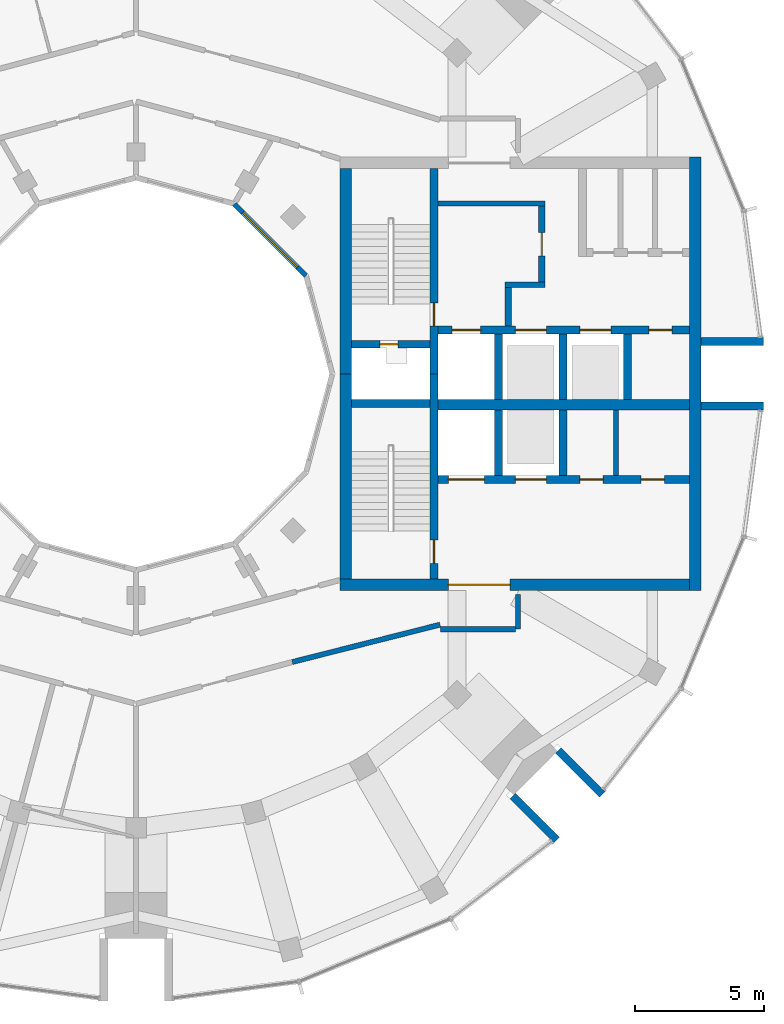
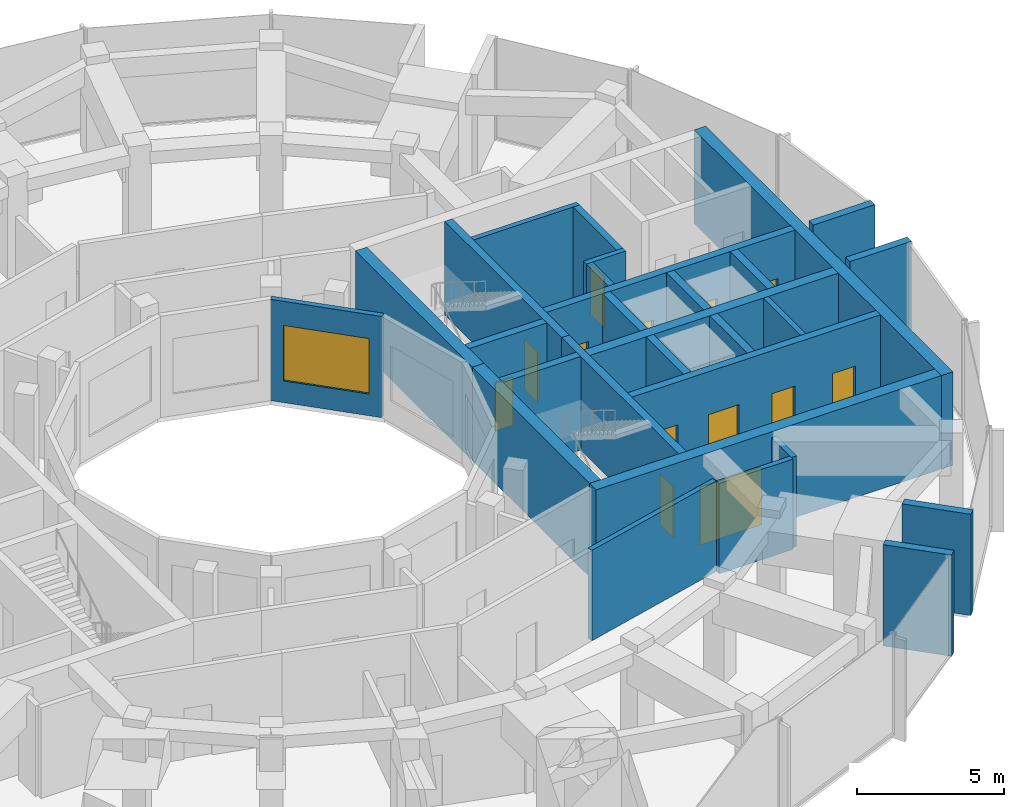
# One storey, part 10 of 14: 29 walls, 13 doors, 1 window, 14 openings.
"""IFC4 building model written with IfcOpenShell, lengths in metres."""

from ifc_helpers import new_model, si_unit, direction, frame, frame_2d, origin, place, context, subcontext, project, spatial, rectangle, extrude, material, layer, layer_set, type_object, element, fill, save


model = new_model("IFC4")

# Units and contexts
model_context = context("Model", 3, precision=1e-05, world=origin(), true_north=direction((0.0, 1.0)))
body_context = subcontext(model_context, "Body", "Model", "MODEL_VIEW")
ifc_project = project(units=[si_unit("LENGTHUNIT", "METRE"), si_unit("AREAUNIT", "SQUARE_METRE"), si_unit("VOLUMEUNIT", "CUBIC_METRE"), si_unit("PLANEANGLEUNIT", "RADIAN"), si_unit("MASSUNIT", "GRAM", prefix="KILO")], contexts=[model_context])

# Site, building, storey
site_placement = place(None, origin())
site = spatial("IfcSite", under=ifc_project, at=site_placement, CompositionType="ELEMENT")
building_placement = place(site_placement, origin())
building = spatial("IfcBuilding", under=site, at=building_placement, Name="Torre Brocal", CompositionType="ELEMENT")
storey_placement = place(building_placement, frame((0.0, 0.0, 288.300048828125)))
storey = spatial("IfcBuildingStorey", under=building, at=storey_placement, Name="L66", CompositionType="ELEMENT", Elevation=288.300048828125)

# Walls
ifc_material_1 = material(Name="Masonry block", Category="masonry")
ifc_layer_1 = layer(ifc_material_1, 0.199951171875)
ifc_layer_set_1 = layer_set([ifc_layer_1], Name="Masonry block")
wall_type_1 = type_object("IfcWallType", Name="CORE PARTITION 200", PredefinedType="PARTITIONING", material=ifc_layer_set_1)
wall_1_placement = place(storey_placement, frame((98.60009765625, 71.050048828125, 0.0), z_axis=(0.0, 0.0, 1.0), x_axis=(0.0, 1.0, 0.0)))
element("IfcWall", 1, at=wall_1_placement, inside=storey, type_object=wall_type_1, Name="Wall CP200", PredefinedType="PARTITIONING", context=body_context, shape_type="SweptSolid", body=[
    extrude(rectangle(XDim=2.550048828125, YDim=0.199951171875, at=frame_2d((1.27490234375, 0.0))), origin(), (0.0, 0.0, 1.0), 3.8798828125),
])
ifc_material_2 = material(Name="Concrete C50", Category="concrete")
ifc_layer_2 = layer(ifc_material_2, 0.199951171875)
ifc_layer_set_2 = layer_set([ifc_layer_2], Name="Concrete C50")
wall_type_2 = type_object("IfcWallType", Name="CORE WALL 200 C50", PredefinedType="SHEAR", material=ifc_layer_set_2)
wall_2_placement = place(storey_placement, frame((91.699951171875, 81.60009765625, 0.0), z_axis=(0.0, 0.0, 1.0), x_axis=(1.0, 0.0, 0.0)))
element("IfcWall", 2, at=wall_2_placement, inside=storey, type_object=wall_type_2, Name="Wall CW200-50", PredefinedType="SHEAR", context=body_context, shape_type="SweptSolid", body=[
    extrude(rectangle(XDim=4.150146484375, YDim=0.199951171875, at=frame_2d((2.0751953125, 0.0))), origin(), (0.0, 0.0, 1.0), 3.8798828125),
])
wall_3_placement = place(storey_placement, frame((94.300048828125, 78.449951171875, 0.0), z_axis=(0.0, 0.0, 1.0), x_axis=(1.0, 0.0, 0.0)))
element("IfcWall", 3, at=wall_3_placement, inside=storey, type_object=wall_type_2, Name="Wall CW200-50", PredefinedType="SHEAR", context=body_context, shape_type="SweptSolid", body=[
    extrude(rectangle(XDim=1.550048828125, YDim=0.199951171875, at=frame_2d((0.77490234375, 0.0))), origin(), (0.0, 0.0, 1.0), 3.8798828125),
])

# Wall, opening, door
ifc_material_3 = material(Name="Concrete C50", Category="concrete")
ifc_layer_3 = layer(ifc_material_3, 0.25)
ifc_layer_set_3 = layer_set([ifc_layer_3], Name="Concrete C50")
wall_type_3 = type_object("IfcWallType", Name="CORE WALL 250 C50", PredefinedType="SHEAR", material=ifc_layer_set_3)
wall_4_placement = place(storey_placement, frame((95.72509765625, 78.550048828125, 0.0), z_axis=(0.0, 0.0, 1.0), x_axis=(0.0, 1.0, 0.0)))
wall_4 = element("IfcWall", 4, at=wall_4_placement, inside=storey, type_object=wall_type_3, Name="Wall CW250-50", PredefinedType="SHEAR", context=body_context, shape_type="SweptSolid", body=[
    extrude(rectangle(XDim=2.949951171875, YDim=0.25, at=frame_2d((1.47509765625, 0.0))), origin(), (0.0, 0.0, 1.0), 3.8798828125),
])
opening_1_placement = place(wall_4_placement, frame((1.02490234375, 0.0, 0.0)))
opening_1 = element("IfcOpeningElement", 5, at=opening_1_placement, cuts=wall_4, Name="Opening E-D26", PredefinedType="OPENING", context=body_context, shape_type="SweptSolid", body=[
    extrude(rectangle(XDim=0.89990234375, YDim=2.10009765625, at=frame_2d((0.449951171875, 1.050048828125))), frame((0.0, 0.135009765625, 0.0), z_axis=(0.0, -1.0, 0.0), x_axis=(1.0, 0.0, 0.0)), (0.0, 0.0, 1.0), 0.27001953125),
])
ifc_material_4 = material(Name="Steel A653", Category="steel")
door_type_1 = type_object("IfcDoorType", Name="LOBBY DOOR FD120 900X2100", OperationType="SINGLE_SWING_RIGHT", PredefinedType="DOOR", material=ifc_material_4)
door_1_placement = place(opening_1_placement, origin())
door_1 = element("IfcDoor", 6, at=door_1_placement, inside=storey, type_object=door_type_1, Name="Door E-D26", OperationType="SINGLE_SWING_LEFT", OverallHeight=2.10009765625, OverallWidth=0.89990234375, PredefinedType="DOOR", context=body_context, shape_type="SweptSolid", body=[
    extrude(rectangle(XDim=0.89990234375, YDim=2.10009765625, at=frame_2d((0.449951171875, 1.050048828125))), frame((0.0, 0.02490234375, 0.0), z_axis=(0.0, -1.0, 0.0), x_axis=(1.0, 0.0, 0.0)), (0.0, 0.0, 1.0), 0.050048828125),
])
fill(opening_1, door_1)

# Wall
wall_5_placement = place(storey_placement, frame((94.425048828125, 76.85009765625, 0.0), z_axis=(0.0, 0.0, 1.0), x_axis=(0.0, 1.0, 0.0)))
element("IfcWall", 7, at=wall_5_placement, inside=storey, type_object=wall_type_3, Name="Wall CW250-50", PredefinedType="SHEAR", context=body_context, shape_type="SweptSolid", body=[
    extrude(rectangle(XDim=1.5, YDim=0.25, at=frame_2d((0.75, 0.0))), origin(), (0.0, 0.0, 1.0), 3.8798828125),
])

# Wall, opening, door
ifc_material_5 = material(Name="Concrete C50", Category="concrete")
ifc_layer_4 = layer(ifc_material_5, 0.300048828125)
ifc_layer_set_4 = layer_set([ifc_layer_4], Name="Concrete C50")
wall_type_4 = type_object("IfcWallType", Name="CORE WALL 300 C50", PredefinedType="SHEAR", material=ifc_layer_set_4)
wall_6_placement = place(storey_placement, frame((91.550048828125, 75.0, 0.0), z_axis=(0.0, 0.0, 1.0), x_axis=(0.0, 1.0, 0.0)))
wall_6 = element("IfcWall", 8, at=wall_6_placement, inside=storey, type_object=wall_type_4, Name="Wall CW300-50", PredefinedType="SHEAR", context=body_context, shape_type="SweptSolid", body=[
    extrude(rectangle(XDim=7.949951171875, YDim=0.300048828125, at=frame_2d((3.97509765625, 0.0))), origin(), (0.0, 0.0, 1.0), 3.8798828125),
])
opening_2_placement = place(wall_6_placement, frame((1.85009765625, 0.0, 0.0)))
opening_2 = element("IfcOpeningElement", 9, at=opening_2_placement, cuts=wall_6, Name="Opening E-D02", PredefinedType="OPENING", context=body_context, shape_type="SweptSolid", body=[
    extrude(rectangle(XDim=0.89990234375, YDim=2.10009765625, at=frame_2d((0.449951171875, 1.050048828125))), frame((0.0, 0.159912109375, 0.0), z_axis=(0.0, -1.0, 0.0), x_axis=(1.0, 0.0, 0.0)), (0.0, 0.0, 1.0), 0.320068359375),
])
ifc_material_6 = material(Name="Steel A653", Category="steel")
door_type_2 = type_object("IfcDoorType", Name="STAIR DOOR FD120 900X2100", OperationType="SINGLE_SWING_RIGHT", PredefinedType="DOOR", material=ifc_material_6)
door_2_placement = place(opening_2_placement, origin())
door_2 = element("IfcDoor", 10, at=door_2_placement, inside=storey, type_object=door_type_2, Name="Door E-D02", OperationType="SINGLE_SWING_LEFT", OverallHeight=2.10009765625, OverallWidth=0.89990234375, PredefinedType="DOOR", context=body_context, shape_type="SweptSolid", body=[
    extrude(rectangle(XDim=0.89990234375, YDim=2.10009765625, at=frame_2d((0.449951171875, 1.050048828125))), frame((0.0, 0.02490234375, 0.0), z_axis=(0.0, -1.0, 0.0), x_axis=(1.0, 0.0, 0.0)), (0.0, 0.0, 1.0), 0.050048828125),
])
fill(opening_2, door_2)

wall_7_placement = place(storey_placement, frame((91.550048828125, 67.050048828125, 0.0), z_axis=(0.0, 0.0, 1.0), x_axis=(0.0, 1.0, 0.0)))
wall_7 = element("IfcWall", 11, at=wall_7_placement, inside=storey, type_object=wall_type_4, Name="Wall CW300-50", PredefinedType="SHEAR", context=body_context, shape_type="SweptSolid", body=[
    extrude(rectangle(XDim=7.949951171875, YDim=0.300048828125, at=frame_2d((3.97509765625, 0.0))), origin(), (0.0, 0.0, 1.0), 3.8798828125),
])
opening_3_placement = place(wall_7_placement, frame((0.60009765625, 0.0, 0.0)))
opening_3 = element("IfcOpeningElement", 12, at=opening_3_placement, cuts=wall_7, Name="Opening E-D03", PredefinedType="OPENING", context=body_context, shape_type="SweptSolid", body=[
    extrude(rectangle(XDim=0.89990234375, YDim=2.10009765625, at=frame_2d((0.449951171875, 1.050048828125))), frame((0.0, 0.159912109375, 0.0), z_axis=(0.0, -1.0, 0.0), x_axis=(1.0, 0.0, 0.0)), (0.0, 0.0, 1.0), 0.320068359375),
])
door_3_placement = place(opening_3_placement, origin())
door_3 = element("IfcDoor", 13, at=door_3_placement, inside=storey, type_object=door_type_2, Name="Door E-D03", OperationType="SINGLE_SWING_LEFT", OverallHeight=2.10009765625, OverallWidth=0.89990234375, PredefinedType="DOOR", context=body_context, shape_type="SweptSolid", body=[
    extrude(rectangle(XDim=0.89990234375, YDim=2.10009765625, at=frame_2d((0.449951171875, 1.050048828125))), frame((0.0, 0.02490234375, 0.0), z_axis=(0.0, -1.0, 0.0), x_axis=(1.0, 0.0, 0.0)), (0.0, 0.0, 1.0), 0.050048828125),
])
fill(opening_3, door_3)

wall_8_placement = place(storey_placement, frame((88.35009765625, 76.14990234375, 0.0), z_axis=(0.0, 0.0, 1.0), x_axis=(1.0, 0.0, 0.0)))
wall_8 = element("IfcWall", 14, at=wall_8_placement, inside=storey, type_object=wall_type_4, Name="Wall CW300-50", PredefinedType="SHEAR", context=body_context, shape_type="SweptSolid", body=[
    extrude(rectangle(XDim=3.0498046875, YDim=0.300048828125, at=frame_2d((1.52490234375, 0.0))), origin(), (0.0, 0.0, 1.0), 3.8798828125),
])
opening_4_placement = place(wall_8_placement, frame((1.10009765625, 0.0, 0.0)))
opening_4 = element("IfcOpeningElement", 15, at=opening_4_placement, cuts=wall_8, Name="Opening E-D01", PredefinedType="OPENING", context=body_context, shape_type="SweptSolid", body=[
    extrude(rectangle(XDim=0.699951171875, YDim=2.0, at=frame_2d((0.35009765625, 1.0))), frame((0.0, 0.159912109375, 0.0), z_axis=(0.0, -1.0, 0.0), x_axis=(1.0, 0.0, 0.0)), (0.0, 0.0, 1.0), 0.320068359375),
])
ifc_material_7 = material(Name="Steel A653", Category="steel")
door_type_3 = type_object("IfcDoorType", Name="RISER DOOR FD120 700X2000", OperationType="SINGLE_SWING_LEFT", PredefinedType="DOOR", material=ifc_material_7)
door_4_placement = place(opening_4_placement, frame((0.699951171875, 0.0, 0.0), z_axis=(0.0, 0.0, 1.0), x_axis=(-1.0, 0.0, 0.0)))
door_4 = element("IfcDoor", 16, at=door_4_placement, inside=storey, type_object=door_type_3, Name="Door E-D01", OperationType="SINGLE_SWING_RIGHT", OverallHeight=2.0, OverallWidth=0.699951171875, PredefinedType="DOOR", context=body_context, shape_type="SweptSolid", body=[
    extrude(rectangle(XDim=0.699951171875, YDim=2.0, at=frame_2d((0.35009765625, 1.0))), frame((0.0, 0.02490234375, 0.0), z_axis=(0.0, -1.0, 0.0), x_axis=(1.0, 0.0, 0.0)), (0.0, 0.0, 1.0), 0.050048828125),
])
fill(opening_4, door_4)

# Wall
wall_9_placement = place(storey_placement, frame((88.35009765625, 73.85009765625, 0.0), z_axis=(0.0, 0.0, 1.0), x_axis=(1.0, 0.0, 0.0)))
element("IfcWall", 17, at=wall_9_placement, inside=storey, type_object=wall_type_4, Name="Wall CW300-50", PredefinedType="SHEAR", context=body_context, shape_type="SweptSolid", body=[
    extrude(rectangle(XDim=3.0498046875, YDim=0.300048828125, at=frame_2d((1.52490234375, 0.0))), origin(), (0.0, 0.0, 1.0), 3.8798828125),
])

# Wall, openings, doors
wall_10_placement = place(storey_placement, frame((91.699951171875, 76.699951171875, 0.0), z_axis=(0.0, 0.0, 1.0), x_axis=(1.0, 0.0, 0.0)))
wall_10 = element("IfcWall", 18, at=wall_10_placement, inside=storey, type_object=wall_type_4, Name="Wall CW300-50", PredefinedType="SHEAR", context=body_context, shape_type="SweptSolid", body=[
    extrude(rectangle(XDim=9.75, YDim=0.300048828125, at=frame_2d((4.875, 0.0))), origin(), (0.0, 0.0, 1.0), 3.8798828125),
])
opening_5_placement = place(wall_10_placement, frame((0.550048828125, 0.0, 0.0)))
opening_5 = element("IfcOpeningElement", 19, at=opening_5_placement, cuts=wall_10, Name="Opening LD", PredefinedType="OPENING", context=body_context, shape_type="SweptSolid", body=[
    extrude(rectangle(XDim=1.10009765625, YDim=2.10009765625, at=frame_2d((0.550048828125, 1.050048828125))), frame((0.0, 0.159912109375, 0.0), z_axis=(0.0, -1.0, 0.0), x_axis=(1.0, 0.0, 0.0)), (0.0, 0.0, 1.0), 0.320068359375),
])
opening_6_placement = place(wall_10_placement, frame((3.0, 0.0, 0.0)))
opening_6 = element("IfcOpeningElement", 20, at=opening_6_placement, cuts=wall_10, Name="Opening LD12", PredefinedType="OPENING", context=body_context, shape_type="SweptSolid", body=[
    extrude(rectangle(XDim=1.199951171875, YDim=2.10009765625, at=frame_2d((0.60009765625, 1.050048828125))), frame((0.0, 0.159912109375, 0.0), z_axis=(0.0, -1.0, 0.0), x_axis=(1.0, 0.0, 0.0)), (0.0, 0.0, 1.0), 0.320068359375),
])
opening_7_placement = place(wall_10_placement, frame((5.5, 0.0, 0.0)))
opening_7 = element("IfcOpeningElement", 21, at=opening_7_placement, cuts=wall_10, Name="Opening LD12", PredefinedType="OPENING", context=body_context, shape_type="SweptSolid", body=[
    extrude(rectangle(XDim=1.199951171875, YDim=2.10009765625, at=frame_2d((0.60009765625, 1.050048828125))), frame((0.0, 0.159912109375, 0.0), z_axis=(0.0, -1.0, 0.0), x_axis=(1.0, 0.0, 0.0)), (0.0, 0.0, 1.0), 0.320068359375),
])
opening_8_placement = place(wall_10_placement, frame((8.175048828125, 0.0, 0.0)))
opening_8 = element("IfcOpeningElement", 22, at=opening_8_placement, cuts=wall_10, Name="Opening E-D04", PredefinedType="OPENING", context=body_context, shape_type="SweptSolid", body=[
    extrude(rectangle(XDim=0.89990234375, YDim=2.10009765625, at=frame_2d((0.449951171875, 1.050048828125))), frame((0.0, 0.159912109375, 0.0), z_axis=(0.0, -1.0, 0.0), x_axis=(1.0, 0.0, 0.0)), (0.0, 0.0, 1.0), 0.320068359375),
])
ifc_material_8 = material(Name="Stainless steel AISI 316", Category="steel")
door_type_4 = type_object("IfcDoorType", Name="LIFT LANDING DOOR 1100X2100", OperationType="DOUBLE_DOOR_SLIDING", PredefinedType="DOOR", material=ifc_material_8)
door_5_placement = place(opening_5_placement, origin())
door_5 = element("IfcDoor", 23, at=door_5_placement, inside=storey, type_object=door_type_4, Name="Door LD", OperationType="DOUBLE_DOOR_SLIDING", OverallHeight=2.10009765625, OverallWidth=1.10009765625, PredefinedType="DOOR", context=body_context, shape_type="SweptSolid", body=[
    extrude(rectangle(XDim=1.10009765625, YDim=2.10009765625, at=frame_2d((0.550048828125, 1.050048828125))), frame((0.0, 0.02490234375, 0.0), z_axis=(0.0, -1.0, 0.0), x_axis=(1.0, 0.0, 0.0)), (0.0, 0.0, 1.0), 0.050048828125),
])
fill(opening_5, door_5)
ifc_material_9 = material(Name="Stainless steel AISI 316", Category="steel")
door_type_5 = type_object("IfcDoorType", Name="LIFT LANDING DOOR 1200X2100", OperationType="DOUBLE_DOOR_SLIDING", PredefinedType="DOOR", material=ifc_material_9)
door_6_placement = place(opening_6_placement, origin())
door_6 = element("IfcDoor", 24, at=door_6_placement, inside=storey, type_object=door_type_5, Name="Door LD12", OperationType="DOUBLE_DOOR_SLIDING", OverallHeight=2.10009765625, OverallWidth=1.199951171875, PredefinedType="DOOR", context=body_context, shape_type="SweptSolid", body=[
    extrude(rectangle(XDim=1.199951171875, YDim=2.10009765625, at=frame_2d((0.60009765625, 1.050048828125))), frame((0.0, 0.02490234375, 0.0), z_axis=(0.0, -1.0, 0.0), x_axis=(1.0, 0.0, 0.0)), (0.0, 0.0, 1.0), 0.050048828125),
])
fill(opening_6, door_6)
door_7_placement = place(opening_7_placement, origin())
door_7 = element("IfcDoor", 25, at=door_7_placement, inside=storey, type_object=door_type_5, Name="Door LD12", OperationType="DOUBLE_DOOR_SLIDING", OverallHeight=2.10009765625, OverallWidth=1.199951171875, PredefinedType="DOOR", context=body_context, shape_type="SweptSolid", body=[
    extrude(rectangle(XDim=1.199951171875, YDim=2.10009765625, at=frame_2d((0.60009765625, 1.050048828125))), frame((0.0, 0.02490234375, 0.0), z_axis=(0.0, -1.0, 0.0), x_axis=(1.0, 0.0, 0.0)), (0.0, 0.0, 1.0), 0.050048828125),
])
fill(opening_7, door_7)
ifc_material_10 = material(Name="Steel A653", Category="steel")
door_type_6 = type_object("IfcDoorType", Name="ROOM DOOR FD30S 900X2100", OperationType="SINGLE_SWING_LEFT", PredefinedType="DOOR", material=ifc_material_10)
door_8_placement = place(opening_8_placement, frame((0.89990234375, 0.0, 0.0), z_axis=(0.0, 0.0, 1.0), x_axis=(-1.0, 0.0, 0.0)))
door_8 = element("IfcDoor", 26, at=door_8_placement, inside=storey, type_object=door_type_6, Name="Door E-D04", OperationType="SINGLE_SWING_LEFT", OverallHeight=2.10009765625, OverallWidth=0.89990234375, PredefinedType="DOOR", context=body_context, shape_type="SweptSolid", body=[
    extrude(rectangle(XDim=0.89990234375, YDim=2.10009765625, at=frame_2d((0.449951171875, 1.050048828125))), frame((0.0, 0.02490234375, 0.0), z_axis=(0.0, -1.0, 0.0), x_axis=(1.0, 0.0, 0.0)), (0.0, 0.0, 1.0), 0.050048828125),
])
fill(opening_8, door_8)

wall_11_placement = place(storey_placement, frame((91.699951171875, 70.89990234375, 0.0), z_axis=(0.0, 0.0, 1.0), x_axis=(1.0, 0.0, 0.0)))
wall_11 = element("IfcWall", 27, at=wall_11_placement, inside=storey, type_object=wall_type_4, Name="Wall CW300-50", PredefinedType="SHEAR", context=body_context, shape_type="SweptSolid", body=[
    extrude(rectangle(XDim=9.75, YDim=0.300048828125, at=frame_2d((4.875, 0.0))), origin(), (0.0, 0.0, 1.0), 3.8798828125),
])
opening_9_placement = place(wall_11_placement, frame((0.39990234375, 0.0, 0.0)))
opening_9 = element("IfcOpeningElement", 28, at=opening_9_placement, cuts=wall_11, Name="Opening LD14", PredefinedType="OPENING", context=body_context, shape_type="SweptSolid", body=[
    extrude(rectangle(XDim=1.39990234375, YDim=2.10009765625, at=frame_2d((0.699951171875, 1.050048828125))), frame((0.0, 0.159912109375, 0.0), z_axis=(0.0, -1.0, 0.0), x_axis=(1.0, 0.0, 0.0)), (0.0, 0.0, 1.0), 0.320068359375),
])
opening_10_placement = place(wall_11_placement, frame((3.0, 0.0, 0.0)))
opening_10 = element("IfcOpeningElement", 29, at=opening_10_placement, cuts=wall_11, Name="Opening LD12", PredefinedType="OPENING", context=body_context, shape_type="SweptSolid", body=[
    extrude(rectangle(XDim=1.199951171875, YDim=2.10009765625, at=frame_2d((0.60009765625, 1.050048828125))), frame((0.0, 0.159912109375, 0.0), z_axis=(0.0, -1.0, 0.0), x_axis=(1.0, 0.0, 0.0)), (0.0, 0.0, 1.0), 0.320068359375),
])
opening_11_placement = place(wall_11_placement, frame((5.5, 0.0, 0.0)))
opening_11 = element("IfcOpeningElement", 30, at=opening_11_placement, cuts=wall_11, Name="Opening E-D05", PredefinedType="OPENING", context=body_context, shape_type="SweptSolid", body=[
    extrude(rectangle(XDim=0.89990234375, YDim=2.10009765625, at=frame_2d((0.449951171875, 1.050048828125))), frame((0.0, 0.159912109375, 0.0), z_axis=(0.0, -1.0, 0.0), x_axis=(1.0, 0.0, 0.0)), (0.0, 0.0, 1.0), 0.320068359375),
])
opening_12_placement = place(wall_11_placement, frame((7.875, 0.0, 0.0)))
opening_12 = element("IfcOpeningElement", 31, at=opening_12_placement, cuts=wall_11, Name="Opening E-D06", PredefinedType="OPENING", context=body_context, shape_type="SweptSolid", body=[
    extrude(rectangle(XDim=0.89990234375, YDim=2.10009765625, at=frame_2d((0.449951171875, 1.050048828125))), frame((0.0, 0.159912109375, 0.0), z_axis=(0.0, -1.0, 0.0), x_axis=(1.0, 0.0, 0.0)), (0.0, 0.0, 1.0), 0.320068359375),
])
door_9_placement = place(opening_10_placement, origin())
door_9 = element("IfcDoor", 32, at=door_9_placement, inside=storey, type_object=door_type_5, Name="Door LD12", OperationType="DOUBLE_DOOR_SLIDING", OverallHeight=2.10009765625, OverallWidth=1.199951171875, PredefinedType="DOOR", context=body_context, shape_type="SweptSolid", body=[
    extrude(rectangle(XDim=1.199951171875, YDim=2.10009765625, at=frame_2d((0.60009765625, 1.050048828125))), frame((0.0, 0.02490234375, 0.0), z_axis=(0.0, -1.0, 0.0), x_axis=(1.0, 0.0, 0.0)), (0.0, 0.0, 1.0), 0.050048828125),
])
fill(opening_10, door_9)
ifc_material_11 = material(Name="Stainless steel AISI 316", Category="steel")
door_type_7 = type_object("IfcDoorType", Name="LIFT LANDING DOOR 1400X2100", OperationType="DOUBLE_DOOR_SLIDING", PredefinedType="DOOR", material=ifc_material_11)
door_10_placement = place(opening_9_placement, origin())
door_10 = element("IfcDoor", 33, at=door_10_placement, inside=storey, type_object=door_type_7, Name="Door LD14", OperationType="DOUBLE_DOOR_SLIDING", OverallHeight=2.10009765625, OverallWidth=1.39990234375, PredefinedType="DOOR", context=body_context, shape_type="SweptSolid", body=[
    extrude(rectangle(XDim=1.39990234375, YDim=2.10009765625, at=frame_2d((0.699951171875, 1.050048828125))), frame((0.0, 0.02490234375, 0.0), z_axis=(0.0, -1.0, 0.0), x_axis=(1.0, 0.0, 0.0)), (0.0, 0.0, 1.0), 0.050048828125),
])
fill(opening_9, door_10)
door_11_placement = place(opening_11_placement, origin())
door_11 = element("IfcDoor", 34, at=door_11_placement, inside=storey, type_object=door_type_6, Name="Door E-D05", OperationType="SINGLE_SWING_RIGHT", OverallHeight=2.10009765625, OverallWidth=0.89990234375, PredefinedType="DOOR", context=body_context, shape_type="SweptSolid", body=[
    extrude(rectangle(XDim=0.89990234375, YDim=2.10009765625, at=frame_2d((0.449951171875, 1.050048828125))), frame((0.0, 0.02490234375, 0.0), z_axis=(0.0, -1.0, 0.0), x_axis=(1.0, 0.0, 0.0)), (0.0, 0.0, 1.0), 0.050048828125),
])
fill(opening_11, door_11)
door_12_placement = place(opening_12_placement, origin())
door_12 = element("IfcDoor", 35, at=door_12_placement, inside=storey, type_object=door_type_6, Name="Door E-D06", OperationType="SINGLE_SWING_LEFT", OverallHeight=2.10009765625, OverallWidth=0.89990234375, PredefinedType="DOOR", context=body_context, shape_type="SweptSolid", body=[
    extrude(rectangle(XDim=0.89990234375, YDim=2.10009765625, at=frame_2d((0.449951171875, 1.050048828125))), frame((0.0, 0.02490234375, 0.0), z_axis=(0.0, -1.0, 0.0), x_axis=(1.0, 0.0, 0.0)), (0.0, 0.0, 1.0), 0.050048828125),
])
fill(opening_12, door_12)

# Walls
for number, where, z_axis, x_axis, name in (
    (36, (94.050048828125, 74.0, 0.0), (0.0, 0.0, 1.0), (0.0, 1.0, 0.0), "Wall CW300-50"),
    (37, (96.550048828125, 74.0, 0.0), (0.0, 0.0, 1.0), (0.0, 1.0, 0.0), "Wall CW300-50"),
    (38, (99.050048828125, 74.0, 0.0), (0.0, 0.0, 1.0), (0.0, 1.0, 0.0), "Wall CW300-50"),
    (39, (94.050048828125, 71.050048828125, 0.0), (0.0, 0.0, 1.0), (0.0, 1.0, 0.0), "Wall CW300-50"),
    (40, (96.550048828125, 71.050048828125, 0.0), (0.0, 0.0, 1.0), (0.0, 1.0, 0.0), "Wall CW300-50"),
):
    element("IfcWall", number, at=place(storey_placement, frame(where, z_axis=z_axis, x_axis=x_axis)), inside=storey, type_object=wall_type_4, Name=name, PredefinedType="SHEAR", context=body_context, shape_type="SweptSolid", body=[
        extrude(rectangle(XDim=2.550048828125, YDim=0.300048828125, at=frame_2d((1.27490234375, 0.0))), origin(), (0.0, 0.0, 1.0), 3.8798828125),
    ])
ifc_material_12 = material(Name="Concrete C50", Category="concrete")
ifc_layer_5 = layer(ifc_material_12, 0.39990234375)
ifc_layer_set_5 = layer_set([ifc_layer_5], Name="Concrete C50")
wall_type_5 = type_object("IfcWallType", Name="CORE WALL 400 C50", PredefinedType="SHEAR", material=ifc_layer_set_5)
wall_12_placement = place(storey_placement, frame((91.699951171875, 73.800048828125, 0.0), z_axis=(0.0, 0.0, 1.0), x_axis=(1.0, 0.0, 0.0)))
element("IfcWall", 41, at=wall_12_placement, inside=storey, type_object=wall_type_5, Name="Wall CW400-50", PredefinedType="SHEAR", context=body_context, shape_type="SweptSolid", body=[
    extrude(rectangle(XDim=9.75, YDim=0.39990234375, at=frame_2d((4.875, 0.0))), origin(), (0.0, 0.0, 1.0), 3.8798828125),
])

# Wall, opening, door
ifc_material_13 = material(Name="Concrete C50", Category="concrete")
ifc_layer_6 = layer(ifc_material_13, 0.449951171875)
ifc_layer_set_6 = layer_set([ifc_layer_6], Name="Concrete C50")
wall_type_6 = type_object("IfcWallType", Name="CORE WALL 450 C50", PredefinedType="SHEAR", material=ifc_layer_set_6)
wall_13_placement = place(storey_placement, frame((87.89990234375, 66.824951171875, 0.0), z_axis=(0.0, 0.0, 1.0), x_axis=(1.0, 0.0, 0.0)))
wall_13 = element("IfcWall", 42, at=wall_13_placement, inside=storey, type_object=wall_type_6, Name="Wall CW450-50", PredefinedType="SHEAR", context=body_context, shape_type="SweptSolid", body=[
    extrude(rectangle(XDim=13.550048828125, YDim=0.449951171875, at=frame_2d((6.77490234375, 0.0))), origin(), (0.0, 0.0, 1.0), 3.8798828125),
])
opening_13_placement = place(wall_13_placement, frame((4.199951171875, 0.0, 0.0)))
opening_13 = element("IfcOpeningElement", 43, at=opening_13_placement, cuts=wall_13, Name="Opening E-D12", PredefinedType="OPENING", context=body_context, shape_type="SweptSolid", body=[
    extrude(rectangle(XDim=2.39990234375, YDim=2.39990234375, at=frame_2d((1.199951171875, 1.199951171875))), frame((0.0, 0.23486328125, 0.0), z_axis=(0.0, -1.0, 0.0), x_axis=(1.0, 0.0, 0.0)), (0.0, 0.0, 1.0), 0.469970703125),
])
ifc_material_14 = material(Name="Steel A653", Category="steel")
door_type_8 = type_object("IfcDoorType", Name="DOUBLE FIRE DOOR FD90 2400X2400", OperationType="DOUBLE_DOOR_SINGLE_SWING", PredefinedType="DOOR", material=ifc_material_14)
door_13_placement = place(opening_13_placement, origin())
door_13 = element("IfcDoor", 44, at=door_13_placement, inside=storey, type_object=door_type_8, Name="Door E-D12", OperationType="DOUBLE_DOOR_SINGLE_SWING", OverallHeight=2.39990234375, OverallWidth=2.39990234375, PredefinedType="DOOR", context=body_context, shape_type="SweptSolid", body=[
    extrude(rectangle(XDim=2.39990234375, YDim=2.39990234375, at=frame_2d((1.199951171875, 1.199951171875))), frame((0.0, 0.02490234375, 0.0), z_axis=(0.0, -1.0, 0.0), x_axis=(1.0, 0.0, 0.0)), (0.0, 0.0, 1.0), 0.050048828125),
])
fill(opening_13, door_13)

# Walls
for number, where, z_axis, x_axis, name in (
    (45, (88.125, 75.0, 0.0), (0.0, 0.0, 1.0), (0.0, 1.0, 0.0), "Wall CW450-50"),
    (46, (88.125, 67.050048828125, 0.0), (0.0, 0.0, 1.0), (0.0, 1.0, 0.0), "Wall CW450-50"),
):
    element("IfcWall", number, at=place(storey_placement, frame(where, z_axis=z_axis, x_axis=x_axis)), inside=storey, type_object=wall_type_6, Name=name, PredefinedType="SHEAR", context=body_context, shape_type="SweptSolid", body=[
        extrude(rectangle(XDim=7.949951171875, YDim=0.449951171875, at=frame_2d((3.97509765625, 0.0))), origin(), (0.0, 0.0, 1.0), 3.8798828125),
    ])
wall_14_placement = place(storey_placement, frame((101.675048828125, 66.60009765625, 0.0), z_axis=(0.0, 0.0, 1.0), x_axis=(0.0, 1.0, 0.0)))
element("IfcWall", 47, at=wall_14_placement, inside=storey, type_object=wall_type_6, Name="Wall CW450-50", PredefinedType="SHEAR", context=body_context, shape_type="SweptSolid", body=[
    extrude(rectangle(XDim=16.7998046875, YDim=0.449951171875, at=frame_2d((8.39990234375, 0.0))), origin(), (0.0, 0.0, 1.0), 3.8798828125),
])
ifc_material_15 = material(Name="Concrete C50", Category="concrete")
ifc_layer_7 = layer(ifc_material_15, 0.300048828125)
ifc_layer_set_7 = layer_set([ifc_layer_7], Name="Concrete C50")
wall_type_7 = type_object("IfcWallType", Name="NOTCH RETURN WALL 300 C50", PredefinedType="NOTDEFINED", material=ifc_layer_set_7)
for number, where, z_axis, x_axis, name in (
    (48, (101.89990234375, 73.75, 0.0), (0.0, 0.0, 1.0), (1.0, 0.0, 0.0), "NOTCH RETURN WALL"),
    (49, (101.89990234375, 76.25, 0.0), (0.0, 0.0, 1.0), (1.0, 0.0, 0.0), "NOTCH RETURN WALL"),
):
    element("IfcWall", number, at=place(storey_placement, frame(where, z_axis=z_axis, x_axis=x_axis)), inside=storey, type_object=wall_type_7, Name=name, PredefinedType="NOTDEFINED", context=body_context, shape_type="SweptSolid", body=[
        extrude(rectangle(XDim=2.415771484375, YDim=0.300048828125, at=frame_2d((1.2080078125, 0.0))), origin(), (0.0, 0.0, 1.0), 4.199951171875),
    ])
for number, where, z_axis, x_axis, name in (
    (50, (94.601806640625, 58.63037109375, 0.0), (0.0, 0.0, 1.0), (0.707106781187, -0.707106781187, 0.0), "NOTCH RETURN WALL"),
    (51, (96.36962890625, 60.398193359375, 0.0), (0.0, 0.0, 1.0), (0.707106781187, -0.707106781187, 0.0), "NOTCH RETURN WALL"),
):
    element("IfcWall", number, at=place(storey_placement, frame(where, z_axis=z_axis, x_axis=x_axis)), inside=storey, type_object=wall_type_7, Name=name, PredefinedType="NOTDEFINED", context=body_context, shape_type="SweptSolid", body=[
        extrude(rectangle(XDim=2.41552734375, YDim=0.300048828125, at=frame_2d((1.207763671875, 0.0))), origin(), (0.0, 0.0, 1.0), 4.199951171875),
    ])
ifc_material_16 = material(Name="Gypsum board", Category="Gypsum")
ifc_layer_8 = layer(ifc_material_16, 0.199951171875)
ifc_layer_set_8 = layer_set([ifc_layer_8], Name="Gypsum board")
wall_type_8 = type_object("IfcWallType", Name="PARTITION 200 EI60", PredefinedType="PARTITIONING", material=ifc_layer_set_8)
wall_15_placement = place(storey_placement, frame((86.052978515625, 63.826171875, 0.0), z_axis=(0.0, 0.0, 1.0), x_axis=(0.969480070232, 0.245170131586, 0.0)))
element("IfcWall", 52, at=wall_15_placement, inside=storey, type_object=wall_type_8, Name="FLAT ENTRANCE WALL", PredefinedType="PARTITIONING", context=body_context, shape_type="SweptSolid", body=[
    extrude(rectangle(XDim=5.906982421875, YDim=0.199951171875, at=frame_2d((2.95361328125, 0.0))), origin(), (0.0, 0.0, 1.0), 3.75),
])
wall_16_placement = place(storey_placement, frame((91.800048828125, 65.10009765625, 0.0), z_axis=(0.0, 0.0, 1.0), x_axis=(1.0, 0.0, 0.0)))
element("IfcWall", 53, at=wall_16_placement, inside=storey, type_object=wall_type_8, Name="FLAT ENTRANCE WALL", PredefinedType="PARTITIONING", context=body_context, shape_type="SweptSolid", body=[
    extrude(rectangle(XDim=2.89990234375, YDim=0.199951171875, at=frame_2d((1.449951171875, 0.0))), origin(), (0.0, 0.0, 1.0), 3.75),
])
wall_17_placement = place(storey_placement, frame((94.800048828125, 65.10009765625, 0.0), z_axis=(0.0, 0.0, 1.0), x_axis=(0.0, 1.0, 0.0)))
element("IfcWall", 54, at=wall_17_placement, inside=storey, type_object=wall_type_8, Name="FLAT ENTRANCE WALL", PredefinedType="PARTITIONING", context=body_context, shape_type="SweptSolid", body=[
    extrude(rectangle(XDim=1.35400390625, YDim=0.199951171875, at=frame_2d((0.677001953125, 0.0))), origin(), (0.0, 0.0, 1.0), 3.75),
])

# Wall, opening, window
ifc_material_17 = material(Name="Concrete C40", Category="concrete")
ifc_layer_9 = layer(ifc_material_17, 0.199951171875)
ifc_layer_set_9 = layer_set([ifc_layer_9], Name="Concrete C40")
wall_type_9 = type_object("IfcWallType", Name="WELL FACADE WALL 200", PredefinedType="NOTDEFINED", material=ifc_layer_set_9)
wall_18_placement = place(storey_placement, frame((86.5849609375, 78.8017578125, 0.0), z_axis=(0.0, 0.0, 1.0), x_axis=(-0.707106781187, 0.707106781187, 0.0)))
wall_18 = element("IfcWall", 55, at=wall_18_placement, inside=storey, type_object=wall_type_9, Name="WELL FACADE WALL", PredefinedType="NOTDEFINED", context=body_context, shape_type="SweptSolid", body=[
    extrude(rectangle(XDim=3.93603515625, YDim=0.199951171875, at=frame_2d((1.968017578125, 0.0))), origin(), (0.0, 0.0, 1.0), 4.199951171875),
])
opening_14_placement = place(wall_18_placement, frame((0.468017578125, 0.0, 0.89990234375)))
opening_14 = element("IfcOpeningElement", 56, at=opening_14_placement, cuts=wall_18, Name="Opening W1", PredefinedType="OPENING", context=body_context, shape_type="SweptSolid", body=[
    extrude(rectangle(XDim=3.0, YDim=2.300048828125, at=frame_2d((1.5, 1.14990234375))), frame((0.0, 0.10986328125, 0.0), z_axis=(0.0, -1.0, 0.0), x_axis=(1.0, 0.0, 0.0)), (0.0, 0.0, 1.0), 0.219970703125),
])
ifc_material_18 = material(Name="Aluminium and glass", Category="aluminium")
window_type = type_object("IfcWindowType", Name="WELL WINDOW 3000X2300", PartitioningType="SINGLE_PANEL", PredefinedType="WINDOW", material=ifc_material_18)
window_placement = place(opening_14_placement, origin())
window = element("IfcWindow", 57, at=window_placement, inside=storey, type_object=window_type, Name="WELL WINDOW 3000X2300", OverallHeight=2.300048828125, OverallWidth=3.0, PartitioningType="SINGLE_PANEL", PredefinedType="WINDOW", context=body_context, shape_type="SweptSolid", body=[
    extrude(rectangle(XDim=3.0, YDim=2.300048828125, at=frame_2d((1.5, 1.14990234375))), frame((0.0, 0.030029296875, 0.0), z_axis=(0.0, -1.0, 0.0), x_axis=(1.0, 0.0, 0.0)), (0.0, 0.0, 1.0), 0.06005859375),
])
fill(opening_14, window)

save(model, "model.ifc")
